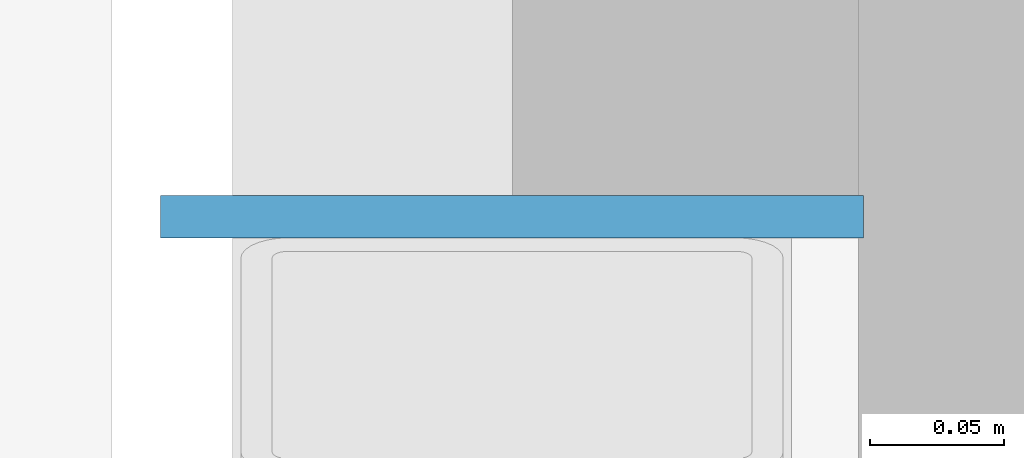
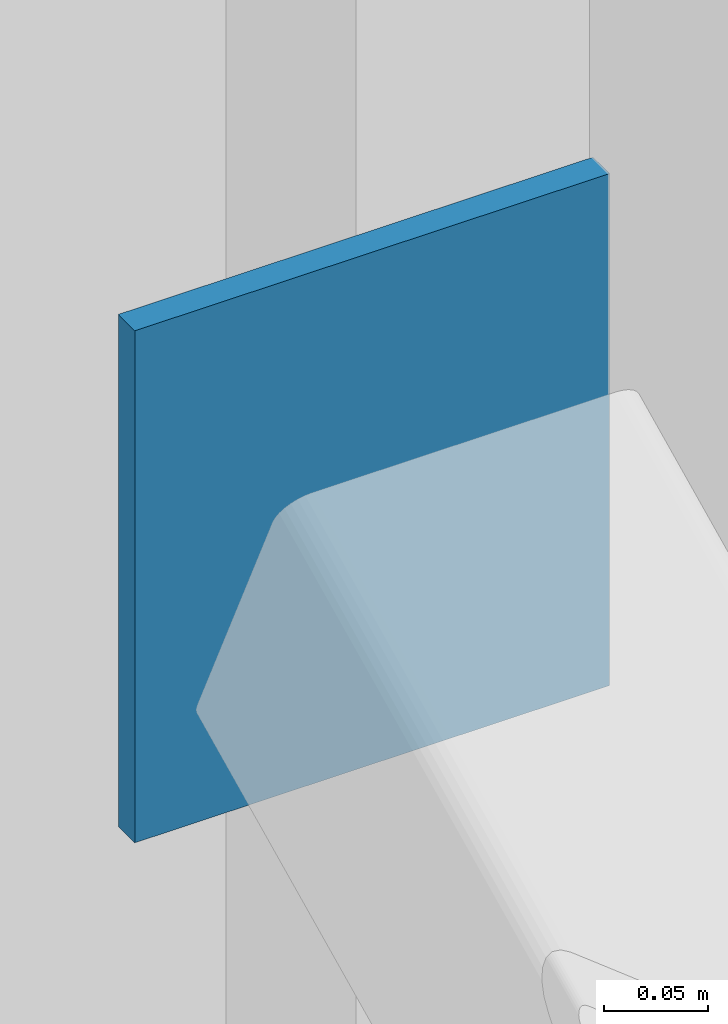
# One storey, part 67 of 127: 1 plate.
"""IFC4 building model written with IfcOpenShell, lengths in metres."""

from ifc_helpers import new_model, si_unit, direction, frame, origin, origin_2d, place, context, subcontext, project, spatial, rectangle, extrude, material, layer, layer_set, type_object, element, save


model = new_model("IFC4")

# Units and contexts
model_context = context("Model", 3, precision=1e-05, world=origin(), true_north=direction((0.0, 1.0)))
body_context = subcontext(model_context, "Body", "Model", "MODEL_VIEW")
ifc_project = project(units=[si_unit("LENGTHUNIT", "METRE"), si_unit("AREAUNIT", "SQUARE_METRE"), si_unit("VOLUMEUNIT", "CUBIC_METRE"), si_unit("PLANEANGLEUNIT", "RADIAN"), si_unit("MASSUNIT", "GRAM", prefix="KILO")], contexts=[model_context])

# Site, building, storey
site_placement = place(None, origin())
site = spatial("IfcSite", under=ifc_project, at=site_placement, CompositionType="ELEMENT")
building_placement = place(site_placement, origin())
building = spatial("IfcBuilding", under=site, at=building_placement, Name="Ljudholm Concert House", CompositionType="ELEMENT")
storey_placement = place(building_placement, frame((0.0, 0.0, 5.39990234375)))
storey = spatial("IfcBuildingStorey", under=building, at=storey_placement, Name="L01", CompositionType="ELEMENT", Elevation=5.39990234375)

# Plate
ifc_material = material(Name="Steel ASTM A36", Category="steel")
ifc_layer = layer(ifc_material, 0.015869140625)
ifc_layer_set = layer_set([ifc_layer], Name="Steel ASTM A36")
plate_type = type_object("IfcPlateType", Name="EMBED PLATE 16x263x300", PredefinedType="SHEET", material=ifc_layer_set)
plate_placement = place(storey_placement, frame((54.39990234375, 126.592041015625, 2.51416015625), z_axis=(0.0, 0.0, 1.0), x_axis=(1.0, 0.0, 0.0)))
element("IfcPlate", 1, at=plate_placement, inside=storey, type_object=plate_type, Name="Brace embed plate", PredefinedType="SHEET", context=body_context, shape_type="SweptSolid", body=[
    extrude(rectangle(XDim=0.26318359375, YDim=0.015869140625, at=origin_2d()), origin(), (0.0, 0.0, 1.0), 0.300048828125),
])

save(model, "model.ifc")
